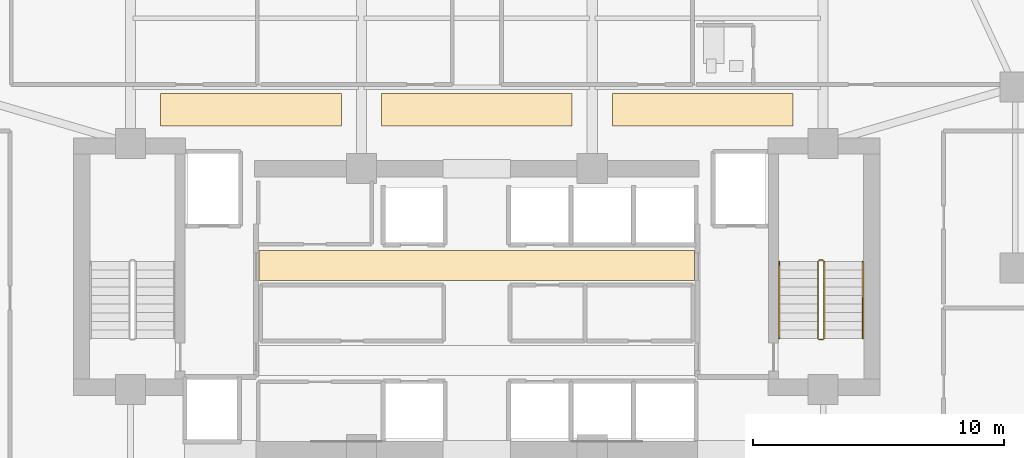
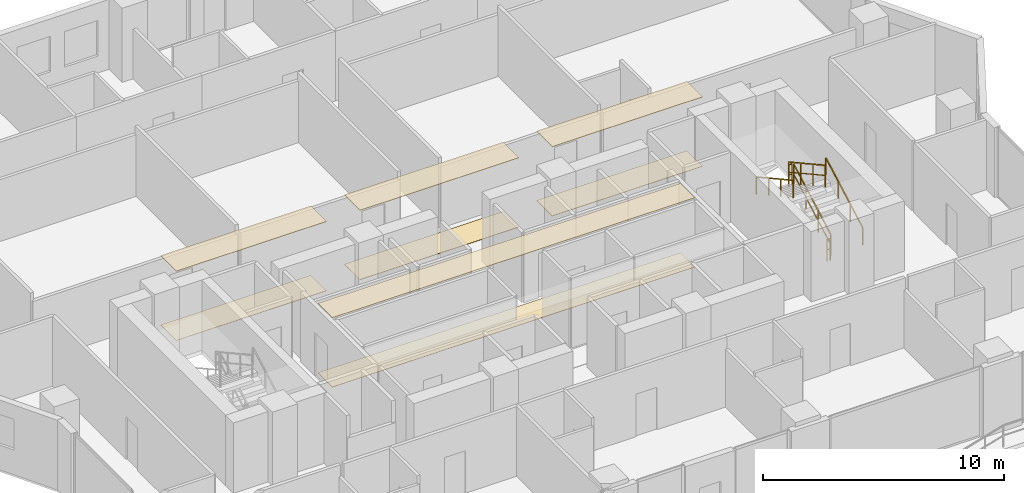
# One storey, part 30 of 32: 8 coverings, 6 railings.
"""IFC4 building model written with IfcOpenShell, lengths in metres."""

from ifc_helpers import new_model, si_unit, direction, frame, origin, origin_2d, place, context, subcontext, project, spatial, polyline, rectangle, outline, extrude, material, layer, layer_set, type_object, element, save


model = new_model("IFC4")

# Units and contexts
model_context = context("Model", 3, precision=1e-05, world=origin(), true_north=direction((0.0, 1.0)))
body_context = subcontext(model_context, "Body", "Model", "MODEL_VIEW")
ifc_project = project(units=[si_unit("LENGTHUNIT", "METRE"), si_unit("AREAUNIT", "SQUARE_METRE"), si_unit("VOLUMEUNIT", "CUBIC_METRE"), si_unit("PLANEANGLEUNIT", "RADIAN"), si_unit("MASSUNIT", "GRAM", prefix="KILO")], contexts=[model_context])

# Site, building, storey
site_placement = place(None, origin())
site = spatial("IfcSite", under=ifc_project, at=site_placement, CompositionType="ELEMENT")
building_placement = place(site_placement, origin())
building = spatial("IfcBuilding", under=site, at=building_placement, Name="Zuhayl Quay Hotel", CompositionType="ELEMENT")
storey_placement = place(building_placement, frame((0.0, 0.0, 184.89990234375)))
storey = spatial("IfcBuildingStorey", under=building, at=storey_placement, Name="L46", CompositionType="ELEMENT", Elevation=184.89990234375)

# Coverings
ifc_material_1 = material(Name="Acoustic Mineral-Fibre Gypsum Board")
ifc_layer_1 = layer(ifc_material_1, 0.02490234375, Name="Acoustic Mineral-Fibre Gypsum Board")
ifc_layer_set_1 = layer_set([ifc_layer_1], Name="Acoustic Mineral-Fibre Gypsum Board")
covering_type_1 = type_object("IfcCoveringType", Name="CV_CEIL_ACOUSTIC", PredefinedType="CEILING", material=ifc_layer_set_1)
covering_1_placement = place(storey_placement, frame((0.0, 0.0, 3.505126953125)))
element("IfcCovering", 1, at=covering_1_placement, inside=storey, type_object=covering_type_1, Name="L46 Suspended Acoustic Lobby Ceiling N", PredefinedType="CEILING", context=body_context, shape_type="SweptSolid", body=[
    extrude(outline(polyline([(-8.679931640625, 8.89990234375), (8.679931640625, 8.89990234375), (8.679931640625, 10.10009765625), (-8.679931640625, 10.10009765625), (-8.679931640625, 8.89990234375)])), origin(), (0.0, 0.0, 1.0), 0.02490234375),
])
covering_2_placement = place(storey_placement, frame((0.0, 0.0, 3.505126953125)))
element("IfcCovering", 2, at=covering_2_placement, inside=storey, type_object=covering_type_1, Name="L46 Guest Corridor Acoustic Ceiling CW", PredefinedType="CEILING", context=body_context, shape_type="SweptSolid", body=[
    extrude(outline(polyline([(-12.60009765625, 15.050048828125), (-5.39990234375, 15.050048828125), (-5.39990234375, 16.35009765625), (-12.60009765625, 16.35009765625), (-12.60009765625, 15.050048828125)])), origin(), (0.0, 0.0, 1.0), 0.02490234375),
])
covering_3_placement = place(storey_placement, frame((0.0, 0.0, 3.505126953125)))
element("IfcCovering", 3, at=covering_3_placement, inside=storey, type_object=covering_type_1, Name="L46 Guest Corridor Acoustic Ceiling CC", PredefinedType="CEILING", context=body_context, shape_type="SweptSolid", body=[
    extrude(outline(polyline([(-3.800048828125, 15.050048828125), (3.800048828125, 15.050048828125), (3.800048828125, 16.35009765625), (-3.800048828125, 16.35009765625), (-3.800048828125, 15.050048828125)])), origin(), (0.0, 0.0, 1.0), 0.02490234375),
])
covering_4_placement = place(storey_placement, frame((0.0, 0.0, 3.505126953125)))
element("IfcCovering", 4, at=covering_4_placement, inside=storey, type_object=covering_type_1, Name="L46 Guest Corridor Acoustic Ceiling CE", PredefinedType="CEILING", context=body_context, shape_type="SweptSolid", body=[
    extrude(outline(polyline([(5.39990234375, 15.050048828125), (12.60009765625, 15.050048828125), (12.60009765625, 16.35009765625), (5.39990234375, 16.35009765625), (5.39990234375, 15.050048828125)])), origin(), (0.0, 0.0, 1.0), 0.02490234375),
])
ifc_material_2 = material(Name="Polished Limestone Terrazzo", Category="masonry")
ifc_layer_2 = layer(ifc_material_2, 0.02001953125, Name="Polished Limestone Terrazzo", Category="masonry")
ifc_layer_set_2 = layer_set([ifc_layer_2], Name="Polished Limestone Terrazzo")
covering_type_2 = type_object("IfcCoveringType", Name="CV_FLOOR_TERRAZZO", PredefinedType="FLOORING", material=ifc_layer_set_2)
covering_5_placement = place(storey_placement, origin())
element("IfcCovering", 5, at=covering_5_placement, inside=storey, type_object=covering_type_2, Name="L46 Honed Limestone Terrazzo Lobby Flooring N", PredefinedType="FLOORING", context=body_context, shape_type="SweptSolid", body=[
    extrude(outline(polyline([(-8.679931640625, 8.89990234375), (8.679931640625, 8.89990234375), (8.679931640625, 10.10009765625), (-8.679931640625, 10.10009765625), (-8.679931640625, 8.89990234375)])), origin(), (0.0, 0.0, 1.0), 0.02001953125),
])
covering_6_placement = place(storey_placement, origin())
element("IfcCovering", 6, at=covering_6_placement, inside=storey, type_object=covering_type_2, Name="L46 Guest Corridor Terrazzo Runner CW", PredefinedType="FLOORING", context=body_context, shape_type="SweptSolid", body=[
    extrude(outline(polyline([(-12.60009765625, 15.050048828125), (-5.39990234375, 15.050048828125), (-5.39990234375, 16.35009765625), (-12.60009765625, 16.35009765625), (-12.60009765625, 15.050048828125)])), origin(), (0.0, 0.0, 1.0), 0.02001953125),
])
covering_7_placement = place(storey_placement, origin())
element("IfcCovering", 7, at=covering_7_placement, inside=storey, type_object=covering_type_2, Name="L46 Guest Corridor Terrazzo Runner CC", PredefinedType="FLOORING", context=body_context, shape_type="SweptSolid", body=[
    extrude(outline(polyline([(-3.800048828125, 15.050048828125), (3.800048828125, 15.050048828125), (3.800048828125, 16.35009765625), (-3.800048828125, 16.35009765625), (-3.800048828125, 15.050048828125)])), origin(), (0.0, 0.0, 1.0), 0.02001953125),
])
covering_8_placement = place(storey_placement, origin())
element("IfcCovering", 8, at=covering_8_placement, inside=storey, type_object=covering_type_2, Name="L46 Guest Corridor Terrazzo Runner CE", PredefinedType="FLOORING", context=body_context, shape_type="SweptSolid", body=[
    extrude(outline(polyline([(5.39990234375, 15.050048828125), (12.60009765625, 15.050048828125), (12.60009765625, 16.35009765625), (5.39990234375, 16.35009765625), (5.39990234375, 15.050048828125)])), origin(), (0.0, 0.0, 1.0), 0.02001953125),
])

# Railings
ifc_material_3 = material(Name="Steel ASTM A992 Grade 50", Category="steel")
railing_type_1 = type_object("IfcRailingType", Name="RL_GUARD_1100", PredefinedType="GUARDRAIL", material=ifc_material_3)
railing_1_placement = place(storey_placement, frame((13.840087890625, 6.590087890625, 0.1875)))
element("IfcRailing", 9, at=railing_1_placement, inside=storey, type_object=railing_type_1, Name="L46 ST2 stair guard 1", PredefinedType="GUARDRAIL", context=body_context, shape_type="SweptSolid", body=[
    extrude(rectangle(XDim=0.048095703125, YDim=0.048095703125, at=origin_2d()), frame((0.0, 0.0, 1.09619140625), z_axis=(0.0, 0.875659195171, 0.482929574485), x_axis=(-1.0, 0.0, 0.0)), (0.0, 0.0, 1.0), 3.494384765625),
    extrude(rectangle(XDim=0.0361328125, YDim=0.0361328125, at=origin_2d()), frame((0.0, 0.0, 0.58251953125), z_axis=(0.0, 0.875659195171, 0.482929574485), x_axis=(-1.0, 0.0, 0.0)), (0.0, 0.0, 1.0), 3.494384765625),
    extrude(rectangle(XDim=0.0419921875, YDim=0.0419921875, at=origin_2d()), origin(), (0.0, 0.0, 1.0), 1.072021484375),
    extrude(rectangle(XDim=0.0419921875, YDim=0.0419921875, at=origin_2d()), frame((0.0, 1.02001953125, 0.5625)), (0.0, 0.0, 1.0), 1.072021484375),
    extrude(rectangle(XDim=0.0419921875, YDim=0.0419921875, at=origin_2d()), frame((0.0, 2.039794921875, 1.125)), (0.0, 0.0, 1.0), 1.072021484375),
    extrude(rectangle(XDim=0.0419921875, YDim=0.0419921875, at=origin_2d()), frame((0.0, 3.059814453125, 1.6875)), (0.0, 0.0, 1.0), 1.072021484375),
])
railing_2_placement = place(storey_placement, frame((13.7900390625, 9.699951171875, 1.875)))
element("IfcRailing", 10, at=railing_2_placement, inside=storey, type_object=railing_type_1, Name="L46 ST2 stair guard 2", PredefinedType="GUARDRAIL", context=body_context, shape_type="SweptSolid", body=[
    extrude(rectangle(XDim=0.048095703125, YDim=0.048095703125, at=origin_2d()), frame((0.0, 0.0, 1.09619140625), z_axis=(-1.0, 0.0, 0.0), x_axis=(0.0, -1.0, 0.0)), (0.0, 0.0, 1.0), 0.150146484375),
    extrude(rectangle(XDim=0.0361328125, YDim=0.0361328125, at=origin_2d()), frame((0.0, 0.0, 0.58251953125), z_axis=(-1.0, 0.0, 0.0), x_axis=(0.0, -1.0, 0.0)), (0.0, 0.0, 1.0), 0.150146484375),
    extrude(rectangle(XDim=0.0419921875, YDim=0.0419921875, at=origin_2d()), origin(), (0.0, 0.0, 1.0), 1.072021484375),
    extrude(rectangle(XDim=0.0419921875, YDim=0.0419921875, at=origin_2d()), frame((-0.150146484375, 0.0, 0.0)), (0.0, 0.0, 1.0), 1.072021484375),
])
railing_3_placement = place(storey_placement, frame((13.590087890625, 9.64990234375, 2.0625)))
element("IfcRailing", 11, at=railing_3_placement, inside=storey, type_object=railing_type_1, Name="L46 ST2 stair guard 3", PredefinedType="GUARDRAIL", context=body_context, shape_type="SweptSolid", body=[
    extrude(rectangle(XDim=0.048095703125, YDim=0.048095703125, at=origin_2d()), frame((0.0, 0.0, 1.09619140625), z_axis=(0.0, -0.875659195171, 0.482929574485), x_axis=(1.0, 0.0, 0.0)), (0.0, 0.0, 1.0), 3.494384765625),
    extrude(rectangle(XDim=0.0361328125, YDim=0.0361328125, at=origin_2d()), frame((0.0, 0.0, 0.58251953125), z_axis=(0.0, -0.875659195171, 0.482929574485), x_axis=(1.0, 0.0, 0.0)), (0.0, 0.0, 1.0), 3.494384765625),
    extrude(rectangle(XDim=0.0419921875, YDim=0.0419921875, at=origin_2d()), origin(), (0.0, 0.0, 1.0), 1.072021484375),
    extrude(rectangle(XDim=0.0419921875, YDim=0.0419921875, at=origin_2d()), frame((0.0, -1.02001953125, 0.5625)), (0.0, 0.0, 1.0), 1.072021484375),
    extrude(rectangle(XDim=0.0419921875, YDim=0.0419921875, at=origin_2d()), frame((0.0, -2.039794921875, 1.125)), (0.0, 0.0, 1.0), 1.072021484375),
    extrude(rectangle(XDim=0.0419921875, YDim=0.0419921875, at=origin_2d()), frame((0.0, -3.059814453125, 1.6875)), (0.0, 0.0, 1.0), 1.072021484375),
])
railing_4_placement = place(storey_placement, frame((13.7900390625, 6.5400390625, 0.0)))
element("IfcRailing", 12, at=railing_4_placement, inside=storey, type_object=railing_type_1, Name="L46 ST2 stair guard 4", PredefinedType="GUARDRAIL", context=body_context, shape_type="SweptSolid", body=[
    extrude(rectangle(XDim=0.048095703125, YDim=0.048095703125, at=origin_2d()), frame((0.0, 0.0, 1.09619140625), z_axis=(-1.0, 0.0, 0.0), x_axis=(0.0, -1.0, 0.0)), (0.0, 0.0, 1.0), 0.150146484375),
    extrude(rectangle(XDim=0.0361328125, YDim=0.0361328125, at=origin_2d()), frame((0.0, 0.0, 0.58251953125), z_axis=(-1.0, 0.0, 0.0), x_axis=(0.0, -1.0, 0.0)), (0.0, 0.0, 1.0), 0.150146484375),
    extrude(rectangle(XDim=0.0419921875, YDim=0.0419921875, at=origin_2d()), origin(), (0.0, 0.0, 1.0), 1.072021484375),
    extrude(rectangle(XDim=0.0419921875, YDim=0.0419921875, at=origin_2d()), frame((-0.150146484375, 0.0, 0.0)), (0.0, 0.0, 1.0), 1.072021484375),
])
railing_type_2 = type_object("IfcRailingType", Name="RL_HANDRAIL_920", PredefinedType="HANDRAIL", material=ifc_material_3)
railing_5_placement = place(storey_placement, frame((15.3798828125, 6.590087890625, 0.1875)))
element("IfcRailing", 13, at=railing_5_placement, inside=storey, type_object=railing_type_2, Name="L46 ST2 stair handrail 1", PredefinedType="HANDRAIL", context=body_context, shape_type="SweptSolid", body=[
    extrude(rectangle(XDim=0.048095703125, YDim=0.048095703125, at=origin_2d()), frame((0.0, 0.0, 0.8759765625), z_axis=(0.0, 0.875659195171, 0.482929574485), x_axis=(-1.0, 0.0, 0.0)), (0.0, 0.0, 1.0), 3.494384765625),
    extrude(rectangle(XDim=0.0419921875, YDim=0.0419921875, at=origin_2d()), origin(), (0.0, 0.0, 1.0), 0.851806640625),
    extrude(rectangle(XDim=0.0419921875, YDim=0.0419921875, at=origin_2d()), frame((0.0, 1.02001953125, 0.5625)), (0.0, 0.0, 1.0), 0.851806640625),
    extrude(rectangle(XDim=0.0419921875, YDim=0.0419921875, at=origin_2d()), frame((0.0, 2.039794921875, 1.125)), (0.0, 0.0, 1.0), 0.851806640625),
    extrude(rectangle(XDim=0.0419921875, YDim=0.0419921875, at=origin_2d()), frame((0.0, 3.059814453125, 1.6875)), (0.0, 0.0, 1.0), 0.851806640625),
])
railing_6_placement = place(storey_placement, frame((12.050048828125, 9.64990234375, 2.0625)))
element("IfcRailing", 14, at=railing_6_placement, inside=storey, type_object=railing_type_2, Name="L46 ST2 stair handrail 2", PredefinedType="HANDRAIL", context=body_context, shape_type="SweptSolid", body=[
    extrude(rectangle(XDim=0.048095703125, YDim=0.048095703125, at=origin_2d()), frame((0.0, 0.0, 0.8759765625), z_axis=(0.0, -0.875659195171, 0.482929574485), x_axis=(1.0, 0.0, 0.0)), (0.0, 0.0, 1.0), 3.494384765625),
    extrude(rectangle(XDim=0.0419921875, YDim=0.0419921875, at=origin_2d()), origin(), (0.0, 0.0, 1.0), 0.851806640625),
    extrude(rectangle(XDim=0.0419921875, YDim=0.0419921875, at=origin_2d()), frame((0.0, -1.02001953125, 0.5625)), (0.0, 0.0, 1.0), 0.851806640625),
    extrude(rectangle(XDim=0.0419921875, YDim=0.0419921875, at=origin_2d()), frame((0.0, -2.039794921875, 1.125)), (0.0, 0.0, 1.0), 0.851806640625),
    extrude(rectangle(XDim=0.0419921875, YDim=0.0419921875, at=origin_2d()), frame((0.0, -3.059814453125, 1.6875)), (0.0, 0.0, 1.0), 0.851806640625),
])

save(model, "model.ifc")
